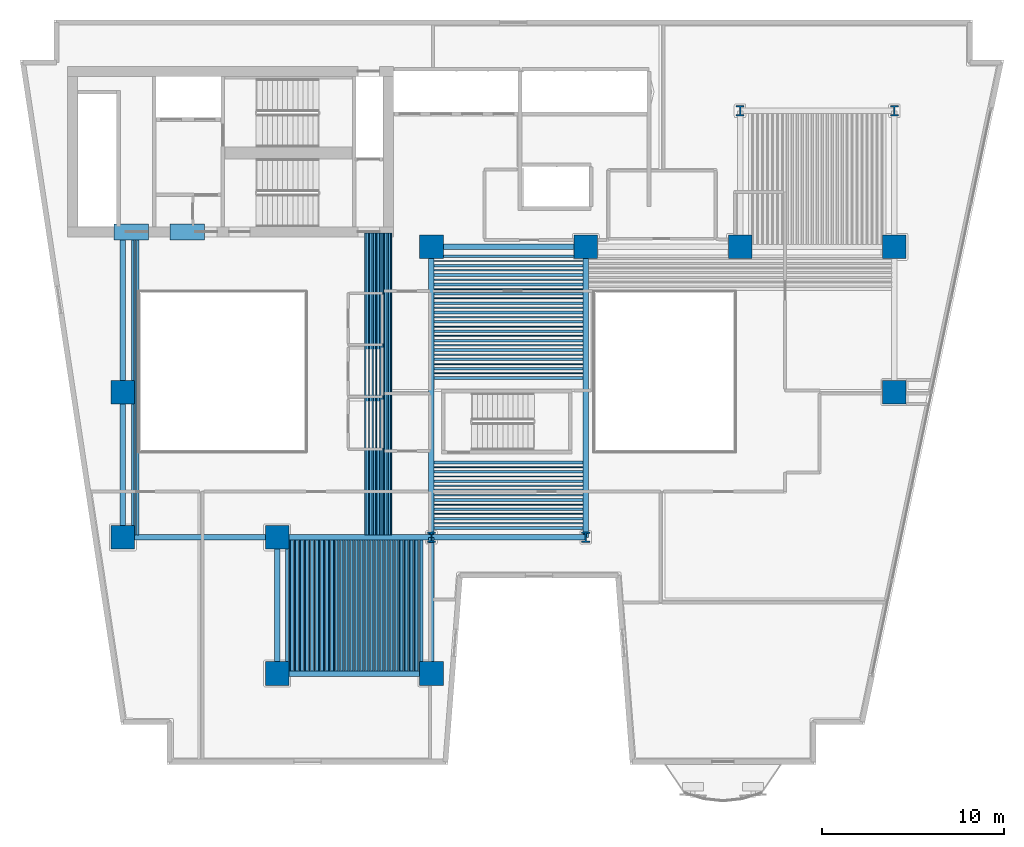
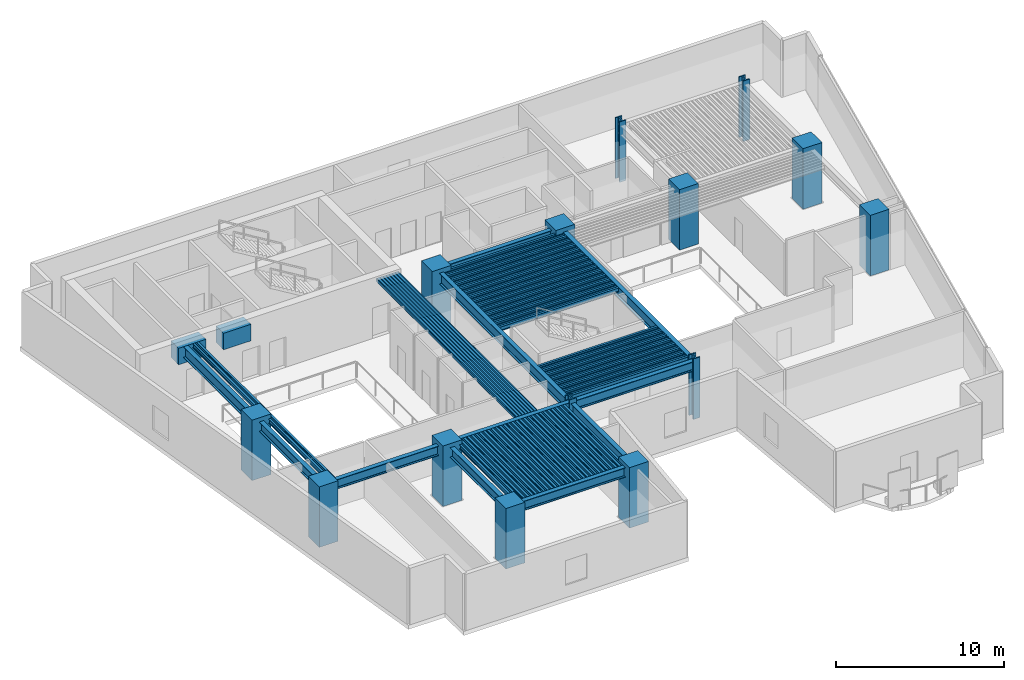
# One storey, part 1 of 11: 128 beams, 14 columns.
"""IFC4 building model written with IfcOpenShell, lengths in metres."""

import ifcopenshell
import ifcopenshell.guid

model = None  # the IFC model being written
_history = None  # IfcOwnerHistory: only IFC2X3 demands one
_inside = {}  # id of a spatial element -> (the spatial element, [elements in it])
_under = {}  # id of a project, library or spatial element -> (it, [spatial elements below it])
_declared = {}  # id of a project -> (the project, [libraries it declares])
_typed = {}  # id of a type object -> (the type object, [elements of that type])
_made_of = {}  # id of a material, layer set ... -> (it, [elements and type objects made of it])


def new_model(schema):
    """Start an empty IFC model of exactly this schema.

    Asked for "IFC4X3", IfcOpenShell would pick the latest addendum, in which some entities
    have other attributes; the version numbers below select the first issue.
    IFC2X3 requires an IfcOwnerHistory on every rooted entity: one is made here for all.
    """
    global model, _history
    if schema == "IFC4X3":
        model = ifcopenshell.file(schema_version=(4, 3, 0, 0))
    else:
        model = ifcopenshell.file(schema=schema)
    _inside.clear()
    _under.clear()
    _declared.clear()
    _typed.clear()
    _made_of.clear()
    _history = None
    if model.schema == "IFC2X3":
        org = make("IfcOrganization", Name="unknown")
        user = make(
            "IfcPersonAndOrganization",
            ThePerson=make("IfcPerson", FamilyName="unknown"),
            TheOrganization=org,
        )
        app = make(
            "IfcApplication",
            ApplicationDeveloper=org,
            Version="unknown",
            ApplicationFullName="unknown",
            ApplicationIdentifier="unknown",
        )
        _history = make(
            "IfcOwnerHistory",
            OwningUser=user,
            OwningApplication=app,
            ChangeAction="ADDED",
            CreationDate=0,
        )
    return model


def make(cls, **values):
    """One entity of the class cls with the attributes given. An attribute that is None is left unset."""
    return model.create_entity(
        cls, **{name: value for name, value in values.items() if value is not None}
    )


def rooted(cls, **values):
    """An entity with a GlobalId (a new one), such as an element, a storey or a relation."""
    return make(cls, GlobalId=ifcopenshell.guid.new(), OwnerHistory=_history, **values)


def si_unit(unit_type, name, prefix=None):
    """IfcSIUnit, for example si_unit("LENGTHUNIT", "METRE", prefix="MILLI")."""
    return make("IfcSIUnit", UnitType=unit_type, Prefix=prefix, Name=name)


def assignment(units):
    """IfcUnitAssignment: the units of a project."""
    return None if units is None else make("IfcUnitAssignment", Units=units)


def point(xyz):
    """IfcCartesianPoint."""
    return None if xyz is None else make("IfcCartesianPoint", Coordinates=xyz)


def direction(xyz):
    """IfcDirection."""
    return None if xyz is None else make("IfcDirection", DirectionRatios=xyz)


def frame(location, z_axis=None, x_axis=None):
    """IfcAxis2Placement3D, a coordinate frame: its origin and axes. An axis left out is left unset."""
    return make(
        "IfcAxis2Placement3D",
        Location=point(location),
        Axis=direction(z_axis),
        RefDirection=direction(x_axis),
    )


def frame_2d(location, x_axis=None):
    """IfcAxis2Placement2D, a coordinate frame in the plane: its origin and x axis."""
    return make(
        "IfcAxis2Placement2D", Location=point(location), RefDirection=direction(x_axis)
    )


def origin():
    """The frame at (0, 0, 0) with its axes left unset."""
    return frame((0.0, 0.0, 0.0))


def origin_2d():
    """The frame at (0, 0) in the plane with its x axis left unset."""
    return frame_2d((0.0, 0.0))


def place(relative_to, where):
    """IfcLocalPlacement: puts the frame where relative to a parent placement (None: the world)."""
    return make(
        "IfcLocalPlacement", PlacementRelTo=relative_to, RelativePlacement=where
    )


def context(
    kind, dimensions, precision=None, world=None, true_north=None, identifier=None
):
    """IfcGeometricRepresentationContext, for example the 3D "Model" context."""
    return make(
        "IfcGeometricRepresentationContext",
        ContextIdentifier=identifier,
        ContextType=kind,
        CoordinateSpaceDimension=dimensions,
        Precision=precision,
        WorldCoordinateSystem=world,
        TrueNorth=true_north,
    )


def subcontext(parent, identifier, kind, view, scale=None):
    """IfcGeometricRepresentationSubContext, for example "Body" below "Model"."""
    return make(
        "IfcGeometricRepresentationSubContext",
        ContextIdentifier=identifier,
        ContextType=kind,
        ParentContext=parent,
        TargetScale=scale,
        TargetView=view,
    )


def project(units=None, contexts=None):
    """IfcProject with its units and contexts."""
    return rooted(
        "IfcProject",
        Name="project",
        RepresentationContexts=contexts,
        UnitsInContext=assignment(units),
    )


def spatial(cls, under=None, at=None, **own):
    """A site, building, storey or space (cls), placed at a placement, below another one or the project."""
    s = rooted(cls, ObjectPlacement=at, **own)
    if under is not None:
        _under.setdefault(under.id(), (under, []))[1].append(s)
    return s


def profile(cls, at=None, kind="AREA", **sizes):
    """A parametric profile (cls). Its sizes go by their IFC names, for example OverallWidth=200.0."""
    return make(cls, ProfileType=kind, Position=at, **sizes)


def rectangle(**sizes):
    """IfcRectangleProfileDef."""
    return profile("IfcRectangleProfileDef", **sizes)


def hollow_rectangle(**sizes):
    """IfcRectangleHollowProfileDef."""
    return profile("IfcRectangleHollowProfileDef", **sizes)


def i_section(**sizes):
    """IfcIShapeProfileDef."""
    return profile("IfcIShapeProfileDef", **sizes)


def extrude(swept, where, along, depth):
    """IfcExtrudedAreaSolid: the profile swept, set in the frame where, extruded along a direction by depth."""
    return make(
        "IfcExtrudedAreaSolid",
        SweptArea=swept,
        Position=where,
        ExtrudedDirection=direction(along),
        Depth=depth,
    )


def shape(context_of_items, identifier, shape_type, items):
    """IfcShapeRepresentation: the items that make up one representation, for example the "Body"."""
    return make(
        "IfcShapeRepresentation",
        ContextOfItems=context_of_items,
        RepresentationIdentifier=identifier,
        RepresentationType=shape_type,
        Items=items,
    )


def material(Name=None, Category=None):
    """IfcMaterial."""
    return make("IfcMaterial", Name=Name, Category=Category)


def material_profile(
    of_material, cross_section, Name=None, Category=None, Priority=None
):
    """IfcMaterialProfile: a cross section and its material."""
    return make(
        "IfcMaterialProfile",
        Name=Name,
        Material=of_material,
        Profile=cross_section,
        Priority=Priority,
        Category=Category,
    )


def profile_set(profiles, Name=None, composite=None):
    """IfcMaterialProfileSet."""
    return make(
        "IfcMaterialProfileSet",
        Name=Name,
        MaterialProfiles=profiles,
        CompositeProfile=composite,
    )


def made_of(thing, what):
    """Note that an element or type object is made of a material, layer set ...; save() writes the relation."""
    if what is not None:
        _made_of.setdefault(what.id(), (what, []))[1].append(thing)
    return thing


def type_object(cls, material=None, **own):
    """A type object (cls), such as IfcWallType, which elements share."""
    return made_of(rooted(cls, **own), material)


def element(
    cls,
    number,
    at=None,
    inside=None,
    cuts=None,
    type_object=None,
    material=None,
    context=None,
    identifier="Body",
    shape_type=None,
    held_by="IfcProductDefinitionShape",
    body=None,
    shapes=None,
    **own,
):
    """One element of the class cls, such as IfcWall. Its Tag is "e" and its number.

    at: its placement. inside: the storey or other place that contains it. cuts: it is an
    opening in that element (IfcRelVoidsElement). A single representation is given by context,
    identifier, shape_type and body (its items); several are given by shapes. held_by: the class
    of the entity that holds the representations. save() writes the other relations.
    """
    e = rooted(cls, Tag="e%d" % number, ObjectPlacement=at, **own)
    if body is not None:
        shapes = [shape(context, identifier, shape_type, body)]
    if shapes is not None:
        e.Representation = make(held_by, Representations=shapes)
    if inside is not None:
        _inside.setdefault(inside.id(), (inside, []))[1].append(e)
    if cuts is not None:
        rooted(
            "IfcRelVoidsElement", RelatingBuildingElement=cuts, RelatedOpeningElement=e
        )
    if type_object is not None:
        _typed.setdefault(type_object.id(), (type_object, []))[1].append(e)
    return made_of(e, material)


def aggregate(whole, parts):
    """IfcRelAggregates: a whole, such as a stair, and the parts it consists of."""
    return rooted("IfcRelAggregates", RelatingObject=whole, RelatedObjects=parts)


def save(model, path):
    """Write the relations noted so far, then the file.

    IfcRelAggregates (storeys below a building ...), IfcRelContainedInSpatialStructure (elements
    in a storey), IfcRelDefinesByType, IfcRelAssociatesMaterial and IfcRelDeclares: one each for
    every whole, place, type object, material and project.
    """
    for whole, parts in _under.values():
        aggregate(whole, parts)
    for where, things in _inside.values():
        rooted(
            "IfcRelContainedInSpatialStructure",
            RelatedElements=things,
            RelatingStructure=where,
        )
    for kind, things in _typed.values():
        rooted("IfcRelDefinesByType", RelatedObjects=things, RelatingType=kind)
    for what, things in _made_of.values():
        rooted("IfcRelAssociatesMaterial", RelatedObjects=things, RelatingMaterial=what)
    for by, libraries in _declared.values():
        rooted("IfcRelDeclares", RelatingContext=by, RelatedDefinitions=libraries)
    model.write(path)


model = new_model("IFC4")

# Units and contexts
model_context = context("Model", 3, precision=1e-05, world=origin(), true_north=direction((0.0, 1.0)))
body_context = subcontext(model_context, "Body", "Model", "MODEL_VIEW")
ifc_project = project(units=[si_unit("LENGTHUNIT", "METRE"), si_unit("AREAUNIT", "SQUARE_METRE"), si_unit("VOLUMEUNIT", "CUBIC_METRE"), si_unit("PLANEANGLEUNIT", "RADIAN"), si_unit("MASSUNIT", "GRAM", prefix="KILO")], contexts=[model_context])

# Site, building, storey
site_placement = place(None, origin())
site = spatial("IfcSite", under=ifc_project, at=site_placement, CompositionType="ELEMENT")
building_placement = place(site_placement, origin())
building = spatial("IfcBuilding", under=site, at=building_placement, Name="Caeloran Harvest Quay", CompositionType="ELEMENT")
storey_placement = place(building_placement, frame((0.0, 0.0, 40.199951171875)))
storey = spatial("IfcBuildingStorey", under=building, at=storey_placement, Name="L09", CompositionType="ELEMENT", Elevation=40.199951171875)

# Columns
ifc_material_1 = material(Name="Concrete C80/95", Category="concrete")
ifc_material_profile_1 = material_profile(ifc_material_1, rectangle(XDim=1.300048828125, YDim=1.300048828125, at=origin_2d()), Name="RC 1300x1300")
ifc_profile_set_1 = profile_set([ifc_material_profile_1], Name="Concrete C80/95")
column_type_1 = type_object("IfcColumnType", Name="COL-MC-2-RC_1300x1300", PredefinedType="COLUMN", material=ifc_profile_set_1)
for number, where, z_axis, x_axis, name in (
    (1, (8.5, 15.0, 0.0), (0.0, 0.0, 1.0), (1.0, 0.0, 0.0), "L09 Structural Column (8.5, 15.0)"),
    (2, (8.5, 23.0, 0.0), (0.0, 0.0, 1.0), (1.0, 0.0, 0.0), "L09 Structural Column (8.5, 23.0)"),
    (3, (17.0, 7.5, 0.0), (0.0, 0.0, 1.0), (1.0, 0.0, 0.0), "L09 Structural Column (17.0, 7.5)"),
    (4, (17.0, 15.0, 0.0), (0.0, 0.0, 1.0), (1.0, 0.0, 0.0), "L09 Structural Column (17.0, 15.0)"),
    (5, (25.5, 7.5, 0.0), (0.0, 0.0, 1.0), (1.0, 0.0, 0.0), "L09 Structural Column (25.5, 7.5)"),
    (6, (25.5, 31.0, 0.0), (0.0, 0.0, 1.0), (1.0, 0.0, 0.0), "L09 Structural Column (25.5, 31.0)"),
    (7, (34.0, 31.0, 0.0), (0.0, 0.0, 1.0), (1.0, 0.0, 0.0), "L09 Structural Column (34.0, 31.0)"),
    (8, (42.5, 31.0, 0.0), (0.0, 0.0, 1.0), (1.0, 0.0, 0.0), "L09 Structural Column (42.5, 31.0)"),
    (9, (51.0, 23.0, 0.0), (0.0, 0.0, 1.0), (1.0, 0.0, 0.0), "L09 Structural Column (51.0, 23.0)"),
    (10, (51.0, 31.0, 0.0), (0.0, 0.0, 1.0), (1.0, 0.0, 0.0), "L09 Structural Column (51.0, 31.0)"),
):
    element("IfcColumn", number, at=place(storey_placement, frame(where, z_axis=z_axis, x_axis=x_axis)), inside=storey, type_object=column_type_1, Name=name, PredefinedType="COLUMN", context=body_context, shape_type="SweptSolid", body=[
        extrude(rectangle(XDim=1.300048828125, YDim=1.300048828125, at=origin_2d()), origin(), (0.0, 0.0, 1.0), 4.400146484375),
    ])
ifc_material_2 = material(Name="Steel HISTAR 460", Category="steel")
ifc_material_profile_2 = material_profile(ifc_material_2, i_section(OverallWidth=0.4541015625, OverallDepth=0.569091796875, WebThickness=0.077880859375, FlangeThickness=0.080078125, FilletRadius=0.014892578125, at=origin_2d()), Name="HD 400x1086")
ifc_profile_set_2 = profile_set([ifc_material_profile_2], Name="Steel HISTAR 460")
column_type_2 = type_object("IfcColumnType", Name="COL-SC-1-HD_400x1086", PredefinedType="COLUMN", material=ifc_profile_set_2)
for number, where, z_axis, x_axis, name in (
    (11, (25.5, 15.0, 0.0), (0.0, 0.0, 1.0), (1.0, 0.0, 0.0), "L09 Structural Column (25.5, 15.0)"),
    (12, (34.0, 15.0, 0.0), (0.0, 0.0, 1.0), (1.0, 0.0, 0.0), "L09 Structural Column (34.0, 15.0)"),
    (13, (42.5, 38.5, 0.0), (0.0, 0.0, 1.0), (1.0, 0.0, 0.0), "L09 Structural Column (42.5, 38.5)"),
    (14, (51.0, 38.5, 0.0), (0.0, 0.0, 1.0), (1.0, 0.0, 0.0), "L09 Structural Column (51.0, 38.5)"),
):
    element("IfcColumn", number, at=place(storey_placement, frame(where, z_axis=z_axis, x_axis=x_axis)), inside=storey, type_object=column_type_2, Name=name, PredefinedType="COLUMN", context=body_context, shape_type="SweptSolid", body=[
        extrude(i_section(OverallWidth=0.4541015625, OverallDepth=0.569091796875, WebThickness=0.077880859375, FlangeThickness=0.080078125, FilletRadius=0.014892578125, at=origin_2d()), origin(), (0.0, 0.0, 1.0), 4.400146484375),
    ])

# Beams
ifc_material_profile_3 = material_profile(ifc_material_1, rectangle(XDim=0.89990234375, YDim=1.199951171875, at=origin_2d()), Name="RC 900x1200")
ifc_profile_set_3 = profile_set([ifc_material_profile_3], Name="Concrete C80/95")
beam_type_1 = type_object("IfcBeamType", Name="BM-CB-1-RC_900x1200", PredefinedType="LINTEL", material=ifc_profile_set_3)
for number, where, z_axis, x_axis, name in (
    (15, (8.0, 31.824951171875, 3.5), (1.0, 0.0, 0.0), (0.0, 1.0, 0.0), "L09 Core Coupling Beam 1"),
    (16, (11.10009765625, 31.824951171875, 3.5), (1.0, 0.0, 0.0), (0.0, 1.0, 0.0), "L09 Core Coupling Beam 2"),
):
    element("IfcBeam", number, at=place(storey_placement, frame(where, z_axis=z_axis, x_axis=x_axis)), inside=storey, type_object=beam_type_1, Name=name, PredefinedType="LINTEL", context=body_context, shape_type="SweptSolid", body=[
        extrude(rectangle(XDim=0.89990234375, YDim=1.199951171875, at=origin_2d()), origin(), (0.0, 0.0, 1.0), 1.89990234375),
    ])
ifc_material_3 = material(Name="Steel S355J2", Category="steel")
ifc_material_profile_4 = material_profile(ifc_material_3, i_section(OverallWidth=0.300048828125, OverallDepth=0.800048828125, WebThickness=0.017578125, FlangeThickness=0.032958984375, FilletRadius=0.030029296875, at=origin_2d()), Name="HE 800 B")
ifc_profile_set_4 = profile_set([ifc_material_profile_4], Name="Steel S355J2")
beam_type_2 = type_object("IfcBeamType", Name="BM-PG-1-HE_800_B", PredefinedType="BEAM", material=ifc_profile_set_4)
beam_1_placement = place(storey_placement, frame((8.5, 23.0, 3.699951171875), z_axis=(0.0, 1.0, 0.0), x_axis=(-1.0, 0.0, 0.0)))
element("IfcBeam", 17, at=beam_1_placement, inside=storey, type_object=beam_type_2, Name="L09 Core South Tie Girder X=8.5", PredefinedType="BEAM", context=body_context, shape_type="SweptSolid", body=[
    extrude(i_section(OverallWidth=0.300048828125, OverallDepth=0.800048828125, WebThickness=0.017578125, FlangeThickness=0.032958984375, FilletRadius=0.030029296875, at=origin_2d()), origin(), (0.0, 0.0, 1.0), 8.77490234375),
])
for number, where, z_axis, x_axis, name in (
    (18, (25.5, 15.0, 3.699951171875), (0.0, 1.0, 0.0), (-1.0, 0.0, 0.0), "L09 Primary North-South Girder X=25.5"),
    (19, (34.0, 15.0, 3.699951171875), (0.0, 1.0, 0.0), (-1.0, 0.0, 0.0), "L09 Primary North-South Girder X=34.0"),
):
    element("IfcBeam", number, at=place(storey_placement, frame(where, z_axis=z_axis, x_axis=x_axis)), inside=storey, type_object=beam_type_2, Name=name, PredefinedType="BEAM", context=body_context, shape_type="SweptSolid", body=[
        extrude(i_section(OverallWidth=0.300048828125, OverallDepth=0.800048828125, WebThickness=0.017578125, FlangeThickness=0.032958984375, FilletRadius=0.030029296875, at=origin_2d()), origin(), (0.0, 0.0, 1.0), 16.0),
    ])
ifc_material_profile_5 = material_profile(ifc_material_3, i_section(OverallWidth=0.300048828125, OverallDepth=0.699951171875, WebThickness=0.01708984375, FlangeThickness=0.031982421875, FilletRadius=0.027099609375, at=origin_2d()), Name="HE 700 B")
ifc_profile_set_5 = profile_set([ifc_material_profile_5], Name="Steel S355J2")
beam_type_3 = type_object("IfcBeamType", Name="BM-PG-2-HE_700_B", PredefinedType="BEAM", material=ifc_profile_set_5)
for number, where, z_axis, x_axis, name in (
    (20, (17.0, 7.5, 3.75), (1.0, 0.0, 0.0), (0.0, 1.0, 0.0), "L09 Primary East-West Girder Y=7.5"),
    (21, (8.5, 15.0, 3.75), (1.0, 0.0, 0.0), (0.0, 1.0, 0.0), "L09 Primary East-West Girder Y=15.0"),
    (22, (17.0, 15.0, 3.75), (1.0, 0.0, 0.0), (0.0, 1.0, 0.0), "L09 Primary East-West Girder Y=15.0"),
    (23, (25.5, 15.0, 3.75), (1.0, 0.0, 0.0), (0.0, 1.0, 0.0), "L09 Primary East-West Girder Y=15.0"),
    (24, (25.5, 31.0, 3.75), (1.0, 0.0, 0.0), (0.0, 1.0, 0.0), "L09 Primary East-West Girder Y=31.0"),
):
    element("IfcBeam", number, at=place(storey_placement, frame(where, z_axis=z_axis, x_axis=x_axis)), inside=storey, type_object=beam_type_3, Name=name, PredefinedType="BEAM", context=body_context, shape_type="SweptSolid", body=[
        extrude(i_section(OverallWidth=0.300048828125, OverallDepth=0.699951171875, WebThickness=0.01708984375, FlangeThickness=0.031982421875, FilletRadius=0.027099609375, at=origin_2d()), origin(), (0.0, 0.0, 1.0), 8.5),
    ])
beam_2_placement = place(storey_placement, frame((8.5, 15.0, 3.75), z_axis=(0.0, 1.0, 0.0), x_axis=(-1.0, 0.0, 0.0)))
element("IfcBeam", 25, at=beam_2_placement, inside=storey, type_object=beam_type_3, Name="L09 Primary North-South Girder X=8.5", PredefinedType="BEAM", context=body_context, shape_type="SweptSolid", body=[
    extrude(i_section(OverallWidth=0.300048828125, OverallDepth=0.699951171875, WebThickness=0.01708984375, FlangeThickness=0.031982421875, FilletRadius=0.027099609375, at=origin_2d()), origin(), (0.0, 0.0, 1.0), 8.0),
])
for number, where, z_axis, x_axis, name in (
    (26, (17.0, 7.5, 3.75), (0.0, 1.0, 0.0), (-1.0, 0.0, 0.0), "L09 Primary North-South Girder X=17.0"),
    (27, (25.5, 7.5, 3.75), (0.0, 1.0, 0.0), (-1.0, 0.0, 0.0), "L09 Primary North-South Girder X=25.5"),
):
    element("IfcBeam", number, at=place(storey_placement, frame(where, z_axis=z_axis, x_axis=x_axis)), inside=storey, type_object=beam_type_3, Name=name, PredefinedType="BEAM", context=body_context, shape_type="SweptSolid", body=[
        extrude(i_section(OverallWidth=0.300048828125, OverallDepth=0.699951171875, WebThickness=0.01708984375, FlangeThickness=0.031982421875, FilletRadius=0.027099609375, at=origin_2d()), origin(), (0.0, 0.0, 1.0), 7.5),
    ])
ifc_material_profile_6 = material_profile(ifc_material_3, i_section(OverallWidth=0.14990234375, OverallDepth=0.300048828125, WebThickness=0.007080078125, FlangeThickness=0.0107421875, FilletRadius=0.014892578125, at=origin_2d()), Name="IPE 300")
ifc_profile_set_6 = profile_set([ifc_material_profile_6], Name="Steel S355J2")
beam_type_4 = type_object("IfcBeamType", Name="BM-SB-6-IPE_300", PredefinedType="JOIST", material=ifc_profile_set_6)
for number, where, z_axis, x_axis, name in (
    (28, (17.54833984375, 7.64501953125, 3.949951171875), (0.0, 1.0, 0.0), (-1.0, 0.0, 0.0), "L09 Secondary Composite Joist"),
    (29, (17.822509765625, 7.64501953125, 3.949951171875), (0.0, 1.0, 0.0), (-1.0, 0.0, 0.0), "L09 Secondary Composite Joist"),
    (30, (18.0966796875, 7.64501953125, 3.949951171875), (0.0, 1.0, 0.0), (-1.0, 0.0, 0.0), "L09 Secondary Composite Joist"),
    (31, (18.37109375, 7.64501953125, 3.949951171875), (0.0, 1.0, 0.0), (-1.0, 0.0, 0.0), "L09 Secondary Composite Joist"),
    (32, (18.645263671875, 7.64501953125, 3.949951171875), (0.0, 1.0, 0.0), (-1.0, 0.0, 0.0), "L09 Secondary Composite Joist"),
    (33, (18.91943359375, 7.64501953125, 3.949951171875), (0.0, 1.0, 0.0), (-1.0, 0.0, 0.0), "L09 Secondary Composite Joist"),
    (34, (19.193603515625, 7.64501953125, 3.949951171875), (0.0, 1.0, 0.0), (-1.0, 0.0, 0.0), "L09 Secondary Composite Joist"),
    (35, (19.4677734375, 7.64501953125, 3.949951171875), (0.0, 1.0, 0.0), (-1.0, 0.0, 0.0), "L09 Secondary Composite Joist"),
    (36, (19.741943359375, 7.64501953125, 3.949951171875), (0.0, 1.0, 0.0), (-1.0, 0.0, 0.0), "L09 Secondary Composite Joist"),
    (37, (20.01611328125, 7.64501953125, 3.949951171875), (0.0, 1.0, 0.0), (-1.0, 0.0, 0.0), "L09 Secondary Composite Joist"),
    (38, (20.290283203125, 7.64501953125, 3.949951171875), (0.0, 1.0, 0.0), (-1.0, 0.0, 0.0), "L09 Secondary Composite Joist"),
    (39, (20.564453125, 7.64501953125, 3.949951171875), (0.0, 1.0, 0.0), (-1.0, 0.0, 0.0), "L09 Secondary Composite Joist"),
    (40, (20.838623046875, 7.64501953125, 3.949951171875), (0.0, 1.0, 0.0), (-1.0, 0.0, 0.0), "L09 Secondary Composite Joist"),
    (41, (21.11279296875, 7.64501953125, 3.949951171875), (0.0, 1.0, 0.0), (-1.0, 0.0, 0.0), "L09 Secondary Composite Joist"),
    (42, (21.38720703125, 7.64501953125, 3.949951171875), (0.0, 1.0, 0.0), (-1.0, 0.0, 0.0), "L09 Secondary Composite Joist"),
    (43, (21.661376953125, 7.64501953125, 3.949951171875), (0.0, 1.0, 0.0), (-1.0, 0.0, 0.0), "L09 Secondary Composite Joist"),
    (44, (21.935546875, 7.64501953125, 3.949951171875), (0.0, 1.0, 0.0), (-1.0, 0.0, 0.0), "L09 Secondary Composite Joist"),
    (45, (22.209716796875, 7.64501953125, 3.949951171875), (0.0, 1.0, 0.0), (-1.0, 0.0, 0.0), "L09 Secondary Composite Joist"),
    (46, (22.48388671875, 7.64501953125, 3.949951171875), (0.0, 1.0, 0.0), (-1.0, 0.0, 0.0), "L09 Secondary Composite Joist"),
    (47, (22.758056640625, 7.64501953125, 3.949951171875), (0.0, 1.0, 0.0), (-1.0, 0.0, 0.0), "L09 Secondary Composite Joist"),
    (48, (23.0322265625, 7.64501953125, 3.949951171875), (0.0, 1.0, 0.0), (-1.0, 0.0, 0.0), "L09 Secondary Composite Joist"),
    (49, (23.306396484375, 7.64501953125, 3.949951171875), (0.0, 1.0, 0.0), (-1.0, 0.0, 0.0), "L09 Secondary Composite Joist"),
    (50, (23.58056640625, 7.64501953125, 3.949951171875), (0.0, 1.0, 0.0), (-1.0, 0.0, 0.0), "L09 Secondary Composite Joist"),
    (51, (23.854736328125, 7.64501953125, 3.949951171875), (0.0, 1.0, 0.0), (-1.0, 0.0, 0.0), "L09 Secondary Composite Joist"),
    (52, (24.12890625, 7.64501953125, 3.949951171875), (0.0, 1.0, 0.0), (-1.0, 0.0, 0.0), "L09 Secondary Composite Joist"),
    (53, (24.4033203125, 7.64501953125, 3.949951171875), (0.0, 1.0, 0.0), (-1.0, 0.0, 0.0), "L09 Secondary Composite Joist"),
    (54, (24.677490234375, 7.64501953125, 3.949951171875), (0.0, 1.0, 0.0), (-1.0, 0.0, 0.0), "L09 Secondary Composite Joist"),
    (55, (24.95166015625, 7.64501953125, 3.949951171875), (0.0, 1.0, 0.0), (-1.0, 0.0, 0.0), "L09 Secondary Composite Joist"),
):
    element("IfcBeam", number, at=place(storey_placement, frame(where, z_axis=z_axis, x_axis=x_axis)), inside=storey, type_object=beam_type_4, Name=name, PredefinedType="JOIST", context=body_context, shape_type="SweptSolid", body=[
        extrude(i_section(OverallWidth=0.14990234375, OverallDepth=0.300048828125, WebThickness=0.007080078125, FlangeThickness=0.0107421875, FilletRadius=0.014892578125, at=origin_2d()), origin(), (0.0, 0.0, 1.0), 7.2099609375),
    ])
for number, where, z_axis, x_axis, name in (
    (56, (9.04833984375, 15.14501953125, 3.949951171875), (0.0, 1.0, 0.0), (-1.0, 0.0, 0.0), "L09 Secondary Composite Joist"),
    (57, (9.322509765625, 15.14501953125, 3.949951171875), (0.0, 1.0, 0.0), (-1.0, 0.0, 0.0), "L09 Secondary Composite Joist"),
    (58, (21.954833984375, 15.14501953125, 3.949951171875), (0.0, 1.0, 0.0), (-1.0, 0.0, 0.0), "L09 Secondary Composite Joist"),
    (59, (22.161376953125, 15.14501953125, 3.949951171875), (0.0, 1.0, 0.0), (-1.0, 0.0, 0.0), "L09 Secondary Composite Joist"),
    (60, (22.36767578125, 15.14501953125, 3.949951171875), (0.0, 1.0, 0.0), (-1.0, 0.0, 0.0), "L09 Secondary Composite Joist"),
    (61, (22.57421875, 15.14501953125, 3.949951171875), (0.0, 1.0, 0.0), (-1.0, 0.0, 0.0), "L09 Secondary Composite Joist"),
    (62, (22.780517578125, 15.14501953125, 3.949951171875), (0.0, 1.0, 0.0), (-1.0, 0.0, 0.0), "L09 Secondary Composite Joist"),
    (63, (22.987060546875, 15.14501953125, 3.949951171875), (0.0, 1.0, 0.0), (-1.0, 0.0, 0.0), "L09 Secondary Composite Joist"),
    (64, (23.193603515625, 15.14501953125, 3.949951171875), (0.0, 1.0, 0.0), (-1.0, 0.0, 0.0), "L09 Secondary Composite Joist"),
):
    element("IfcBeam", number, at=place(storey_placement, frame(where, z_axis=z_axis, x_axis=x_axis)), inside=storey, type_object=beam_type_4, Name=name, PredefinedType="JOIST", context=body_context, shape_type="SweptSolid", body=[
        extrude(i_section(OverallWidth=0.14990234375, OverallDepth=0.300048828125, WebThickness=0.007080078125, FlangeThickness=0.0107421875, FilletRadius=0.014892578125, at=origin_2d()), origin(), (0.0, 0.0, 1.0), 16.6298828125),
    ])
for number, where, z_axis, x_axis, name in (
    (65, (25.64501953125, 15.51611328125, 3.949951171875), (1.0, 0.0, 0.0), (0.0, 1.0, 0.0), "L09 Secondary East-West Composite Joist"),
    (66, (25.64501953125, 16.0322265625, 3.949951171875), (1.0, 0.0, 0.0), (0.0, 1.0, 0.0), "L09 Secondary East-West Composite Joist"),
    (67, (25.64501953125, 16.54833984375, 3.949951171875), (1.0, 0.0, 0.0), (0.0, 1.0, 0.0), "L09 Secondary East-West Composite Joist"),
    (68, (25.64501953125, 17.064453125, 3.949951171875), (1.0, 0.0, 0.0), (0.0, 1.0, 0.0), "L09 Secondary East-West Composite Joist"),
    (69, (25.64501953125, 17.58056640625, 3.949951171875), (1.0, 0.0, 0.0), (0.0, 1.0, 0.0), "L09 Secondary East-West Composite Joist"),
    (70, (25.64501953125, 18.0966796875, 3.949951171875), (1.0, 0.0, 0.0), (0.0, 1.0, 0.0), "L09 Secondary East-West Composite Joist"),
    (71, (25.64501953125, 18.61279296875, 3.949951171875), (1.0, 0.0, 0.0), (0.0, 1.0, 0.0), "L09 Secondary East-West Composite Joist"),
    (72, (25.64501953125, 19.12890625, 3.949951171875), (1.0, 0.0, 0.0), (0.0, 1.0, 0.0), "L09 Secondary East-West Composite Joist"),
    (73, (25.64501953125, 23.774169921875, 3.949951171875), (1.0, 0.0, 0.0), (0.0, 1.0, 0.0), "L09 Secondary East-West Composite Joist"),
    (74, (25.64501953125, 24.290283203125, 3.949951171875), (1.0, 0.0, 0.0), (0.0, 1.0, 0.0), "L09 Secondary East-West Composite Joist"),
    (75, (25.64501953125, 24.806396484375, 3.949951171875), (1.0, 0.0, 0.0), (0.0, 1.0, 0.0), "L09 Secondary East-West Composite Joist"),
    (76, (25.64501953125, 25.322509765625, 3.949951171875), (1.0, 0.0, 0.0), (0.0, 1.0, 0.0), "L09 Secondary East-West Composite Joist"),
    (77, (25.64501953125, 25.838623046875, 3.949951171875), (1.0, 0.0, 0.0), (0.0, 1.0, 0.0), "L09 Secondary East-West Composite Joist"),
    (78, (25.64501953125, 26.354736328125, 3.949951171875), (1.0, 0.0, 0.0), (0.0, 1.0, 0.0), "L09 Secondary East-West Composite Joist"),
    (79, (25.64501953125, 26.87109375, 3.949951171875), (1.0, 0.0, 0.0), (0.0, 1.0, 0.0), "L09 Secondary East-West Composite Joist"),
    (80, (25.64501953125, 27.38720703125, 3.949951171875), (1.0, 0.0, 0.0), (0.0, 1.0, 0.0), "L09 Secondary East-West Composite Joist"),
    (81, (25.64501953125, 27.9033203125, 3.949951171875), (1.0, 0.0, 0.0), (0.0, 1.0, 0.0), "L09 Secondary East-West Composite Joist"),
    (82, (25.64501953125, 28.41943359375, 3.949951171875), (1.0, 0.0, 0.0), (0.0, 1.0, 0.0), "L09 Secondary East-West Composite Joist"),
    (83, (25.64501953125, 28.935546875, 3.949951171875), (1.0, 0.0, 0.0), (0.0, 1.0, 0.0), "L09 Secondary East-West Composite Joist"),
    (84, (25.64501953125, 29.45166015625, 3.949951171875), (1.0, 0.0, 0.0), (0.0, 1.0, 0.0), "L09 Secondary East-West Composite Joist"),
    (85, (25.64501953125, 29.9677734375, 3.949951171875), (1.0, 0.0, 0.0), (0.0, 1.0, 0.0), "L09 Secondary East-West Composite Joist"),
    (86, (25.64501953125, 30.48388671875, 3.949951171875), (1.0, 0.0, 0.0), (0.0, 1.0, 0.0), "L09 Secondary East-West Composite Joist"),
):
    element("IfcBeam", number, at=place(storey_placement, frame(where, z_axis=z_axis, x_axis=x_axis)), inside=storey, type_object=beam_type_4, Name=name, PredefinedType="JOIST", context=body_context, shape_type="SweptSolid", body=[
        extrude(i_section(OverallWidth=0.14990234375, OverallDepth=0.300048828125, WebThickness=0.007080078125, FlangeThickness=0.0107421875, FilletRadius=0.014892578125, at=origin_2d()), origin(), (0.0, 0.0, 1.0), 8.2099609375),
    ])
ifc_material_profile_7 = material_profile(ifc_material_3, hollow_rectangle(XDim=0.080078125, YDim=0.199951171875, WallThickness=0.006103515625, InnerFilletRadius=0.006103515625, OuterFilletRadius=0.009033203125, at=origin_2d()), Name="RHS 200x80x6")
ifc_profile_set_7 = profile_set([ifc_material_profile_7], Name="Steel S355J2")
beam_type_5 = type_object("IfcBeamType", Name="BM-SB-7-RHS_200x80x6", PredefinedType="JOIST", material=ifc_profile_set_7)
for number, where, z_axis, x_axis, name in (
    (87, (17.685546875, 7.64501953125, 4.0), (0.0, 1.0, 0.0), (-1.0, 0.0, 0.0), "L09 Secondary Composite Joist"),
    (88, (17.959716796875, 7.64501953125, 4.0), (0.0, 1.0, 0.0), (-1.0, 0.0, 0.0), "L09 Secondary Composite Joist"),
    (89, (18.23388671875, 7.64501953125, 4.0), (0.0, 1.0, 0.0), (-1.0, 0.0, 0.0), "L09 Secondary Composite Joist"),
    (90, (18.508056640625, 7.64501953125, 4.0), (0.0, 1.0, 0.0), (-1.0, 0.0, 0.0), "L09 Secondary Composite Joist"),
    (91, (18.7822265625, 7.64501953125, 4.0), (0.0, 1.0, 0.0), (-1.0, 0.0, 0.0), "L09 Secondary Composite Joist"),
    (92, (19.056396484375, 7.64501953125, 4.0), (0.0, 1.0, 0.0), (-1.0, 0.0, 0.0), "L09 Secondary Composite Joist"),
    (93, (19.33056640625, 7.64501953125, 4.0), (0.0, 1.0, 0.0), (-1.0, 0.0, 0.0), "L09 Secondary Composite Joist"),
    (94, (19.604736328125, 7.64501953125, 4.0), (0.0, 1.0, 0.0), (-1.0, 0.0, 0.0), "L09 Secondary Composite Joist"),
    (95, (19.87890625, 7.64501953125, 4.0), (0.0, 1.0, 0.0), (-1.0, 0.0, 0.0), "L09 Secondary Composite Joist"),
    (96, (20.1533203125, 7.64501953125, 4.0), (0.0, 1.0, 0.0), (-1.0, 0.0, 0.0), "L09 Secondary Composite Joist"),
    (97, (20.427490234375, 7.64501953125, 4.0), (0.0, 1.0, 0.0), (-1.0, 0.0, 0.0), "L09 Secondary Composite Joist"),
    (98, (20.70166015625, 7.64501953125, 4.0), (0.0, 1.0, 0.0), (-1.0, 0.0, 0.0), "L09 Secondary Composite Joist"),
    (99, (20.975830078125, 7.64501953125, 4.0), (0.0, 1.0, 0.0), (-1.0, 0.0, 0.0), "L09 Secondary Composite Joist"),
    (100, (21.25, 7.64501953125, 4.0), (0.0, 1.0, 0.0), (-1.0, 0.0, 0.0), "L09 Secondary Composite Joist"),
    (101, (21.524169921875, 7.64501953125, 4.0), (0.0, 1.0, 0.0), (-1.0, 0.0, 0.0), "L09 Secondary Composite Joist"),
    (102, (21.79833984375, 7.64501953125, 4.0), (0.0, 1.0, 0.0), (-1.0, 0.0, 0.0), "L09 Secondary Composite Joist"),
    (103, (22.072509765625, 7.64501953125, 4.0), (0.0, 1.0, 0.0), (-1.0, 0.0, 0.0), "L09 Secondary Composite Joist"),
    (104, (22.3466796875, 7.64501953125, 4.0), (0.0, 1.0, 0.0), (-1.0, 0.0, 0.0), "L09 Secondary Composite Joist"),
    (105, (22.62109375, 7.64501953125, 4.0), (0.0, 1.0, 0.0), (-1.0, 0.0, 0.0), "L09 Secondary Composite Joist"),
    (106, (22.895263671875, 7.64501953125, 4.0), (0.0, 1.0, 0.0), (-1.0, 0.0, 0.0), "L09 Secondary Composite Joist"),
    (107, (23.16943359375, 7.64501953125, 4.0), (0.0, 1.0, 0.0), (-1.0, 0.0, 0.0), "L09 Secondary Composite Joist"),
    (108, (23.443603515625, 7.64501953125, 4.0), (0.0, 1.0, 0.0), (-1.0, 0.0, 0.0), "L09 Secondary Composite Joist"),
    (109, (23.7177734375, 7.64501953125, 4.0), (0.0, 1.0, 0.0), (-1.0, 0.0, 0.0), "L09 Secondary Composite Joist"),
    (110, (23.991943359375, 7.64501953125, 4.0), (0.0, 1.0, 0.0), (-1.0, 0.0, 0.0), "L09 Secondary Composite Joist"),
    (111, (24.26611328125, 7.64501953125, 4.0), (0.0, 1.0, 0.0), (-1.0, 0.0, 0.0), "L09 Secondary Composite Joist"),
    (112, (24.540283203125, 7.64501953125, 4.0), (0.0, 1.0, 0.0), (-1.0, 0.0, 0.0), "L09 Secondary Composite Joist"),
    (113, (24.814453125, 7.64501953125, 4.0), (0.0, 1.0, 0.0), (-1.0, 0.0, 0.0), "L09 Secondary Composite Joist"),
):
    element("IfcBeam", number, at=place(storey_placement, frame(where, z_axis=z_axis, x_axis=x_axis)), inside=storey, type_object=beam_type_5, Name=name, PredefinedType="JOIST", context=body_context, shape_type="SweptSolid", body=[
        extrude(hollow_rectangle(XDim=0.080078125, YDim=0.199951171875, WallThickness=0.006103515625, InnerFilletRadius=0.006103515625, OuterFilletRadius=0.009033203125, at=origin_2d()), origin(), (0.0, 0.0, 1.0), 7.2099609375),
    ])
for number, where, z_axis, x_axis, name in (
    (114, (9.185546875, 15.14501953125, 4.0), (0.0, 1.0, 0.0), (-1.0, 0.0, 0.0), "L09 Secondary Composite Joist"),
    (115, (21.8515625, 15.14501953125, 4.0), (0.0, 1.0, 0.0), (-1.0, 0.0, 0.0), "L09 Secondary Composite Joist"),
    (116, (22.05810546875, 15.14501953125, 4.0), (0.0, 1.0, 0.0), (-1.0, 0.0, 0.0), "L09 Secondary Composite Joist"),
    (117, (22.264404296875, 15.14501953125, 4.0), (0.0, 1.0, 0.0), (-1.0, 0.0, 0.0), "L09 Secondary Composite Joist"),
    (118, (22.470947265625, 15.14501953125, 4.0), (0.0, 1.0, 0.0), (-1.0, 0.0, 0.0), "L09 Secondary Composite Joist"),
    (119, (22.677490234375, 15.14501953125, 4.0), (0.0, 1.0, 0.0), (-1.0, 0.0, 0.0), "L09 Secondary Composite Joist"),
    (120, (22.8837890625, 15.14501953125, 4.0), (0.0, 1.0, 0.0), (-1.0, 0.0, 0.0), "L09 Secondary Composite Joist"),
    (121, (23.09033203125, 15.14501953125, 4.0), (0.0, 1.0, 0.0), (-1.0, 0.0, 0.0), "L09 Secondary Composite Joist"),
    (122, (23.296875, 15.14501953125, 4.0), (0.0, 1.0, 0.0), (-1.0, 0.0, 0.0), "L09 Secondary Composite Joist"),
):
    element("IfcBeam", number, at=place(storey_placement, frame(where, z_axis=z_axis, x_axis=x_axis)), inside=storey, type_object=beam_type_5, Name=name, PredefinedType="JOIST", context=body_context, shape_type="SweptSolid", body=[
        extrude(hollow_rectangle(XDim=0.080078125, YDim=0.199951171875, WallThickness=0.006103515625, InnerFilletRadius=0.006103515625, OuterFilletRadius=0.009033203125, at=origin_2d()), origin(), (0.0, 0.0, 1.0), 16.6298828125),
    ])
for number, where, z_axis, x_axis, name in (
    (123, (25.64501953125, 15.774169921875, 4.0), (1.0, 0.0, 0.0), (0.0, 1.0, 0.0), "L09 Secondary East-West Composite Joist"),
    (124, (25.64501953125, 16.290283203125, 4.0), (1.0, 0.0, 0.0), (0.0, 1.0, 0.0), "L09 Secondary East-West Composite Joist"),
    (125, (25.64501953125, 16.806396484375, 4.0), (1.0, 0.0, 0.0), (0.0, 1.0, 0.0), "L09 Secondary East-West Composite Joist"),
    (126, (25.64501953125, 17.322509765625, 4.0), (1.0, 0.0, 0.0), (0.0, 1.0, 0.0), "L09 Secondary East-West Composite Joist"),
    (127, (25.64501953125, 17.838623046875, 4.0), (1.0, 0.0, 0.0), (0.0, 1.0, 0.0), "L09 Secondary East-West Composite Joist"),
    (128, (25.64501953125, 18.354736328125, 4.0), (1.0, 0.0, 0.0), (0.0, 1.0, 0.0), "L09 Secondary East-West Composite Joist"),
    (129, (25.64501953125, 18.87109375, 4.0), (1.0, 0.0, 0.0), (0.0, 1.0, 0.0), "L09 Secondary East-West Composite Joist"),
    (130, (25.64501953125, 24.0322265625, 4.0), (1.0, 0.0, 0.0), (0.0, 1.0, 0.0), "L09 Secondary East-West Composite Joist"),
    (131, (25.64501953125, 24.54833984375, 4.0), (1.0, 0.0, 0.0), (0.0, 1.0, 0.0), "L09 Secondary East-West Composite Joist"),
    (132, (25.64501953125, 25.064453125, 4.0), (1.0, 0.0, 0.0), (0.0, 1.0, 0.0), "L09 Secondary East-West Composite Joist"),
    (133, (25.64501953125, 25.58056640625, 4.0), (1.0, 0.0, 0.0), (0.0, 1.0, 0.0), "L09 Secondary East-West Composite Joist"),
    (134, (25.64501953125, 26.0966796875, 4.0), (1.0, 0.0, 0.0), (0.0, 1.0, 0.0), "L09 Secondary East-West Composite Joist"),
    (135, (25.64501953125, 26.61279296875, 4.0), (1.0, 0.0, 0.0), (0.0, 1.0, 0.0), "L09 Secondary East-West Composite Joist"),
    (136, (25.64501953125, 27.12890625, 4.0), (1.0, 0.0, 0.0), (0.0, 1.0, 0.0), "L09 Secondary East-West Composite Joist"),
    (137, (25.64501953125, 27.645263671875, 4.0), (1.0, 0.0, 0.0), (0.0, 1.0, 0.0), "L09 Secondary East-West Composite Joist"),
    (138, (25.64501953125, 28.161376953125, 4.0), (1.0, 0.0, 0.0), (0.0, 1.0, 0.0), "L09 Secondary East-West Composite Joist"),
    (139, (25.64501953125, 28.677490234375, 4.0), (1.0, 0.0, 0.0), (0.0, 1.0, 0.0), "L09 Secondary East-West Composite Joist"),
    (140, (25.64501953125, 29.193603515625, 4.0), (1.0, 0.0, 0.0), (0.0, 1.0, 0.0), "L09 Secondary East-West Composite Joist"),
    (141, (25.64501953125, 29.709716796875, 4.0), (1.0, 0.0, 0.0), (0.0, 1.0, 0.0), "L09 Secondary East-West Composite Joist"),
    (142, (25.64501953125, 30.225830078125, 4.0), (1.0, 0.0, 0.0), (0.0, 1.0, 0.0), "L09 Secondary East-West Composite Joist"),
):
    element("IfcBeam", number, at=place(storey_placement, frame(where, z_axis=z_axis, x_axis=x_axis)), inside=storey, type_object=beam_type_5, Name=name, PredefinedType="JOIST", context=body_context, shape_type="SweptSolid", body=[
        extrude(hollow_rectangle(XDim=0.080078125, YDim=0.199951171875, WallThickness=0.006103515625, InnerFilletRadius=0.006103515625, OuterFilletRadius=0.009033203125, at=origin_2d()), origin(), (0.0, 0.0, 1.0), 8.2099609375),
    ])

save(model, "model.ifc")
